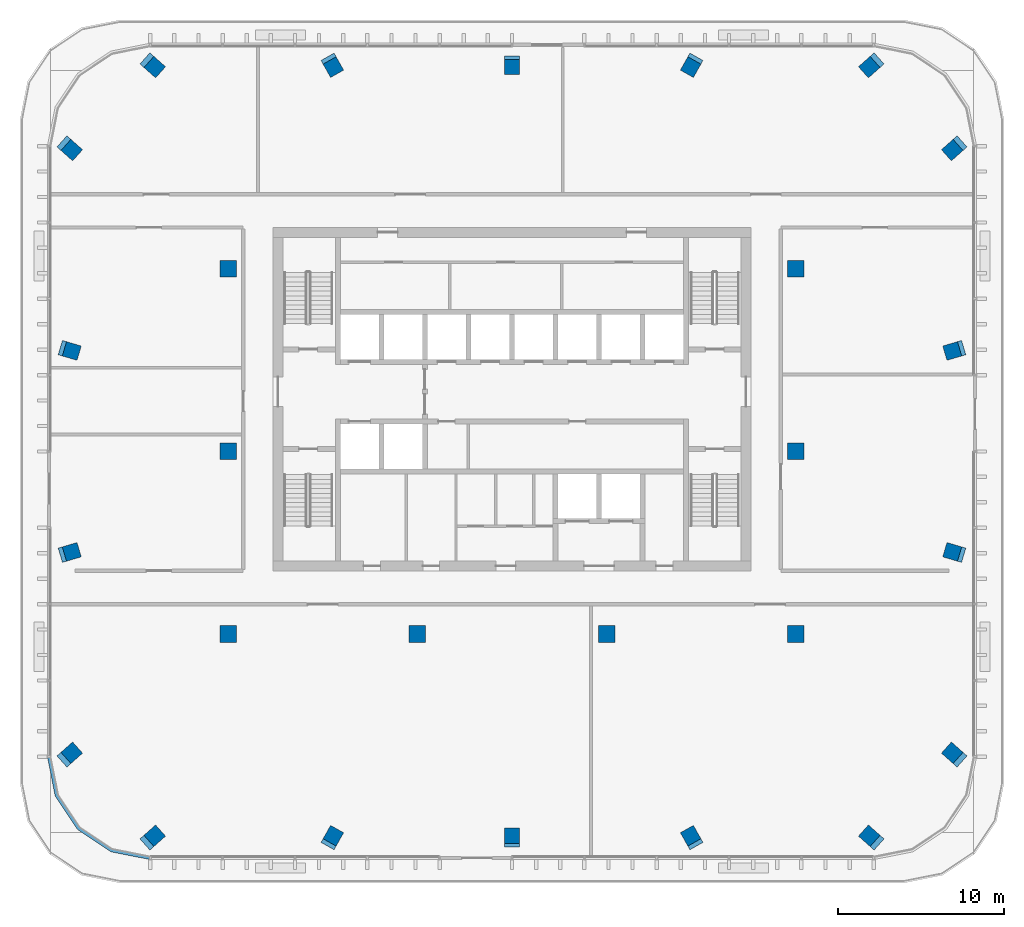
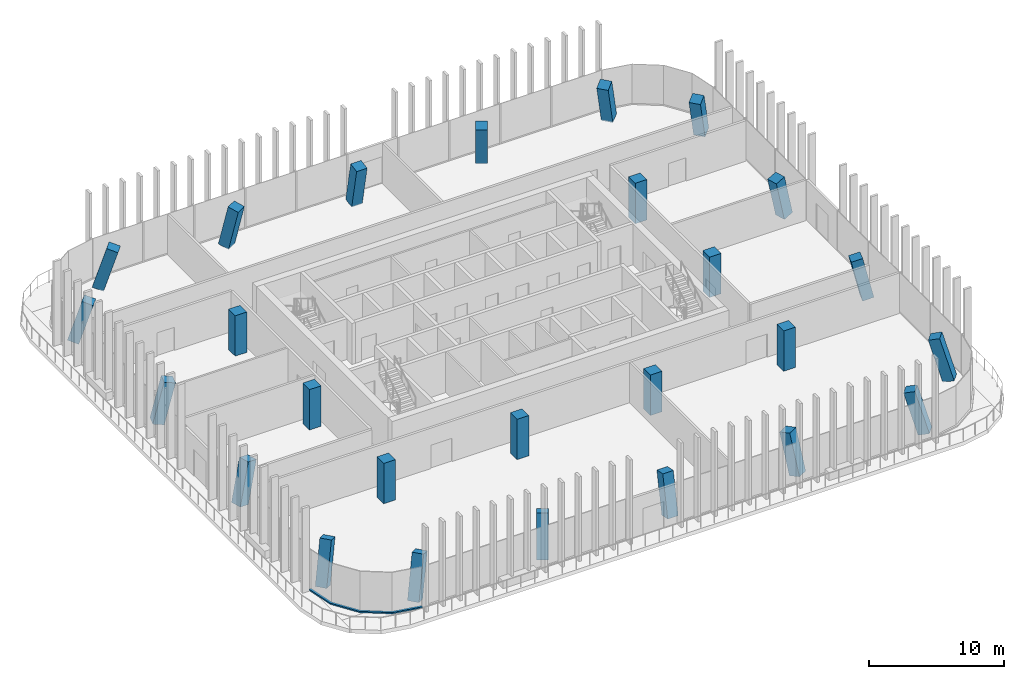
# One storey, part 1 of 16: 26 columns, 1 member, 1 element without a shape of its own.
"""IFC4 building model written with IfcOpenShell, lengths in metres."""

from ifc_helpers import new_model, si_unit, direction, frame, origin, origin_2d, place, context, subcontext, project, spatial, polyline, rectangle, outline, extrude, material, material_profile, profile_set, type_object, element, aggregate, save


model = new_model("IFC4")

# Units and contexts
model_context = context("Model", 3, precision=1e-05, world=origin(), true_north=direction((0.0, 1.0)))
body_context = subcontext(model_context, "Body", "Model", "MODEL_VIEW")
ifc_project = project(units=[si_unit("LENGTHUNIT", "METRE"), si_unit("AREAUNIT", "SQUARE_METRE"), si_unit("VOLUMEUNIT", "CUBIC_METRE"), si_unit("PLANEANGLEUNIT", "RADIAN"), si_unit("MASSUNIT", "GRAM", prefix="KILO")], contexts=[model_context])

# Site, building, storey
site_placement = place(None, origin())
site = spatial("IfcSite", under=ifc_project, at=site_placement, CompositionType="ELEMENT")
building_placement = place(site_placement, origin())
building = spatial("IfcBuilding", under=site, at=building_placement, Name="Mopane Tessera Tower", CompositionType="ELEMENT")
storey_placement = place(building_placement, frame((0.0, 0.0, 321.39990234375)))
storey = spatial("IfcBuildingStorey", under=building, at=storey_placement, Name="L70", CompositionType="ELEMENT", Elevation=321.39990234375)

# Columns
ifc_material_1 = material(Name="Concrete C40/50", Category="concrete")
ifc_material_profile_1 = material_profile(ifc_material_1, rectangle(XDim=1.0, YDim=1.0, at=origin_2d()))
ifc_profile_set_1 = profile_set([ifc_material_profile_1], Name="Concrete C40/50")
column_type_1 = type_object("IfcColumnType", Name="Interior column 1000 x 1000 C40/50", PredefinedType="COLUMN", material=ifc_profile_set_1)
for number, where, z_axis, x_axis, name in (
    (1, (-17.10009765625, -11.0, 0.0), (0.0, 0.0, 1.0), (1.0, 0.0, 0.0), "Interior column I1A L70"),
    (2, (-17.10009765625, 0.0, 0.0), (0.0, 0.0, 1.0), (1.0, 0.0, 0.0), "Interior column I1B L70"),
    (3, (-17.10009765625, 11.0, 0.0), (0.0, 0.0, 1.0), (1.0, 0.0, 0.0), "Interior column I1C L70"),
    (4, (-5.699951171875, -11.0, 0.0), (0.0, 0.0, 1.0), (1.0, 0.0, 0.0), "Interior column I2A L70"),
    (5, (5.699951171875, -11.0, 0.0), (0.0, 0.0, 1.0), (1.0, 0.0, 0.0), "Interior column I3A L70"),
    (6, (17.10009765625, -11.0, 0.0), (0.0, 0.0, 1.0), (1.0, 0.0, 0.0), "Interior column I4A L70"),
    (7, (17.10009765625, 0.0, 0.0), (0.0, 0.0, 1.0), (1.0, 0.0, 0.0), "Interior column I4B L70"),
    (8, (17.10009765625, 11.0, 0.0), (0.0, 0.0, 1.0), (1.0, 0.0, 0.0), "Interior column I4C L70"),
):
    element("IfcColumn", number, at=place(storey_placement, frame(where, z_axis=z_axis, x_axis=x_axis)), inside=storey, type_object=column_type_1, Name=name, PredefinedType="COLUMN", context=body_context, shape_type="SweptSolid", body=[
        extrude(rectangle(XDim=1.0, YDim=1.0, at=origin_2d()), origin(), (0.0, 0.0, 1.0), 3.650146484375),
    ])
ifc_material_2 = material(Name="Concrete C40/50", Category="concrete")
ifc_material_profile_2 = material_profile(ifc_material_2, rectangle(XDim=0.89990234375, YDim=0.89990234375, at=origin_2d()))
ifc_profile_set_2 = profile_set([ifc_material_profile_2], Name="Concrete C40/50")
column_type_2 = type_object("IfcColumnType", Name="Ring column 900 x 900 C40/50", PredefinedType="COLUMN", material=ifc_profile_set_2)
column_1_placement = place(storey_placement, frame((-21.800048828125, -23.39990234375, 0.0), z_axis=(0.215453851731, 0.191436255298, 0.957565558033), x_axis=(-0.664212103315, 0.74754416713, 0.0)))
element("IfcColumn", 9, at=column_1_placement, inside=storey, type_object=column_type_2, Name="Ring column S0 L70", PredefinedType="COLUMN", context=body_context, shape_type="SweptSolid", body=[
    extrude(rectangle(XDim=0.89990234375, YDim=0.89990234375, at=origin_2d()), origin(), (0.0, 0.0, 1.0), 3.81201171875),
])
column_2_placement = place(storey_placement, frame((-10.89990234375, -23.39990234375, 0.0), z_axis=(0.109652628332, 0.194858327041, 0.974682786081), x_axis=(-0.871489870992, 0.49041350385, 0.0)))
element("IfcColumn", 10, at=column_2_placement, inside=storey, type_object=column_type_2, Name="Ring column S1 L70", PredefinedType="COLUMN", context=body_context, shape_type="SweptSolid", body=[
    extrude(rectangle(XDim=0.89990234375, YDim=0.89990234375, at=origin_2d()), origin(), (0.0, 0.0, 1.0), 3.744873046875),
])
column_3_placement = place(storey_placement, frame((0.0, -23.39990234375, 0.0), z_axis=(0.0, 0.196040456894, 0.980595808303), x_axis=(-1.0, 0.0, 0.0)))
element("IfcColumn", 11, at=column_3_placement, inside=storey, type_object=column_type_2, Name="Ring column S2 L70", PredefinedType="COLUMN", context=body_context, shape_type="SweptSolid", body=[
    extrude(rectangle(XDim=0.89990234375, YDim=0.89990234375, at=origin_2d()), origin(), (0.0, 0.0, 1.0), 3.722412109375),
])
column_4_placement = place(storey_placement, frame((10.89990234375, -23.39990234375, 0.0), z_axis=(-0.109652628332, 0.194858327041, 0.974682786081), x_axis=(-0.871489870992, -0.49041350385, 0.0)))
element("IfcColumn", 12, at=column_4_placement, inside=storey, type_object=column_type_2, Name="Ring column S3 L70", PredefinedType="COLUMN", context=body_context, shape_type="SweptSolid", body=[
    extrude(rectangle(XDim=0.89990234375, YDim=0.89990234375, at=origin_2d()), origin(), (0.0, 0.0, 1.0), 3.744873046875),
])
for number, where, z_axis, x_axis, name in (
    (13, (21.800048828125, -23.39990234375, 0.0), (-0.215453851731, 0.191436255298, 0.957565558033), (-0.664212103315, -0.74754416713, 0.0), "Ring column S4 L70"),
    (14, (26.800048828125, -18.39990234375, 0.0), (-0.215453851731, 0.191436255298, 0.957565558033), (-0.664212103315, -0.74754416713, 0.0), "Ring column E0 L70"),
):
    element("IfcColumn", number, at=place(storey_placement, frame(where, z_axis=z_axis, x_axis=x_axis)), inside=storey, type_object=column_type_2, Name=name, PredefinedType="COLUMN", context=body_context, shape_type="SweptSolid", body=[
        extrude(rectangle(XDim=0.89990234375, YDim=0.89990234375, at=origin_2d()), origin(), (0.0, 0.0, 1.0), 3.81201171875),
    ])
for number, where, z_axis, x_axis, name in (
    (15, (26.800048828125, -6.13330078125, 0.0), (-0.219051591777, 0.064855940966, 0.973555394963), (-0.283894227329, -0.958855603148, 0.0), "Ring column E1 L70"),
    (16, (26.800048828125, 6.13330078125, 0.0), (-0.219051591777, -0.064855940966, 0.973555394963), (0.283894227329, -0.958855603148, 0.0), "Ring column E2 L70"),
):
    element("IfcColumn", number, at=place(storey_placement, frame(where, z_axis=z_axis, x_axis=x_axis)), inside=storey, type_object=column_type_2, Name=name, PredefinedType="COLUMN", context=body_context, shape_type="SweptSolid", body=[
        extrude(rectangle(XDim=0.89990234375, YDim=0.89990234375, at=origin_2d()), origin(), (0.0, 0.0, 1.0), 3.749267578125),
    ])
for number, where, z_axis, x_axis, name in (
    (17, (26.800048828125, 18.39990234375, 0.0), (-0.215453851731, -0.191436255298, 0.957565558033), (0.664212103315, -0.74754416713, 0.0), "Ring column E3 L70"),
    (18, (21.800048828125, 23.39990234375, 0.0), (-0.215453851731, -0.191436255298, 0.957565558033), (0.664212103315, -0.74754416713, 0.0), "Ring column N0 L70"),
):
    element("IfcColumn", number, at=place(storey_placement, frame(where, z_axis=z_axis, x_axis=x_axis)), inside=storey, type_object=column_type_2, Name=name, PredefinedType="COLUMN", context=body_context, shape_type="SweptSolid", body=[
        extrude(rectangle(XDim=0.89990234375, YDim=0.89990234375, at=origin_2d()), origin(), (0.0, 0.0, 1.0), 3.81201171875),
    ])
column_5_placement = place(storey_placement, frame((10.89990234375, 23.39990234375, 0.0), z_axis=(-0.109652628332, -0.194858327041, 0.974682786081), x_axis=(0.871489870992, -0.49041350385, 0.0)))
element("IfcColumn", 19, at=column_5_placement, inside=storey, type_object=column_type_2, Name="Ring column N1 L70", PredefinedType="COLUMN", context=body_context, shape_type="SweptSolid", body=[
    extrude(rectangle(XDim=0.89990234375, YDim=0.89990234375, at=origin_2d()), origin(), (0.0, 0.0, 1.0), 3.744873046875),
])
column_6_placement = place(storey_placement, frame((0.0, 23.39990234375, 0.0), z_axis=(0.0, -0.196040456894, 0.980595808303), x_axis=(1.0, 0.0, 0.0)))
element("IfcColumn", 20, at=column_6_placement, inside=storey, type_object=column_type_2, Name="Ring column N2 L70", PredefinedType="COLUMN", context=body_context, shape_type="SweptSolid", body=[
    extrude(rectangle(XDim=0.89990234375, YDim=0.89990234375, at=origin_2d()), origin(), (0.0, 0.0, 1.0), 3.722412109375),
])
column_7_placement = place(storey_placement, frame((-10.89990234375, 23.39990234375, 0.0), z_axis=(0.109652628332, -0.194858327041, 0.974682786081), x_axis=(0.871489870992, 0.49041350385, 0.0)))
element("IfcColumn", 21, at=column_7_placement, inside=storey, type_object=column_type_2, Name="Ring column N3 L70", PredefinedType="COLUMN", context=body_context, shape_type="SweptSolid", body=[
    extrude(rectangle(XDim=0.89990234375, YDim=0.89990234375, at=origin_2d()), origin(), (0.0, 0.0, 1.0), 3.744873046875),
])
for number, where, z_axis, x_axis, name in (
    (22, (-21.800048828125, 23.39990234375, 0.0), (0.215453851731, -0.191436255298, 0.957565558033), (0.664212103315, 0.74754416713, 0.0), "Ring column N4 L70"),
    (23, (-26.800048828125, 18.39990234375, 0.0), (0.215453851731, -0.191436255298, 0.957565558033), (0.664212103315, 0.74754416713, 0.0), "Ring column W0 L70"),
):
    element("IfcColumn", number, at=place(storey_placement, frame(where, z_axis=z_axis, x_axis=x_axis)), inside=storey, type_object=column_type_2, Name=name, PredefinedType="COLUMN", context=body_context, shape_type="SweptSolid", body=[
        extrude(rectangle(XDim=0.89990234375, YDim=0.89990234375, at=origin_2d()), origin(), (0.0, 0.0, 1.0), 3.81201171875),
    ])
for number, where, z_axis, x_axis, name in (
    (24, (-26.800048828125, 6.13330078125, 0.0), (0.219051591777, -0.064855940966, 0.973555394963), (0.283894227329, 0.958855603148, 0.0), "Ring column W1 L70"),
    (25, (-26.800048828125, -6.13330078125, 0.0), (0.219051591777, 0.064855940966, 0.973555394963), (-0.283894227329, 0.958855603148, 0.0), "Ring column W2 L70"),
):
    element("IfcColumn", number, at=place(storey_placement, frame(where, z_axis=z_axis, x_axis=x_axis)), inside=storey, type_object=column_type_2, Name=name, PredefinedType="COLUMN", context=body_context, shape_type="SweptSolid", body=[
        extrude(rectangle(XDim=0.89990234375, YDim=0.89990234375, at=origin_2d()), origin(), (0.0, 0.0, 1.0), 3.749267578125),
    ])
column_8_placement = place(storey_placement, frame((-26.800048828125, -18.39990234375, 0.0), z_axis=(0.215453851731, 0.191436255298, 0.957565558033), x_axis=(-0.664212103315, 0.74754416713, 0.0)))
element("IfcColumn", 26, at=column_8_placement, inside=storey, type_object=column_type_2, Name="Ring column W3 L70", PredefinedType="COLUMN", context=body_context, shape_type="SweptSolid", body=[
    extrude(rectangle(XDim=0.89990234375, YDim=0.89990234375, at=origin_2d()), origin(), (0.0, 0.0, 1.0), 3.81201171875),
])

# Curtain wall, member
ifc_material_3 = material(Name="Aluminium frame", Category="aluminium")
curtain_wall_type = type_object("IfcCurtainWallType", Name="Unitised curtain wall", PredefinedType="NOTDEFINED", material=ifc_material_3)
curtain_wall_placement = place(storey_placement, origin())
curtain_wall = element("IfcCurtainWall", 27, at=curtain_wall_placement, inside=storey, type_object=curtain_wall_type, Name="e:cw:L70:CW", PredefinedType="NOTDEFINED")
ifc_material_4 = material(Name="Aluminium frame", Category="aluminium")
ifc_material_profile_3 = material_profile(ifc_material_4, rectangle(XDim=0.199951171875, YDim=0.1201171875, at=origin_2d()))
ifc_profile_set_3 = profile_set([ifc_material_profile_3], Name="Aluminium frame")
member_type = type_object("IfcMemberType", Name="Aluminium transom 200 x 120", PredefinedType="USERDEFINED", material=ifc_profile_set_3)
member_placement = place(storey_placement, origin())
member = element("IfcMember", 28, at=member_placement, type_object=member_type, Name="e:cw:L70:CW:tr", ObjectType="TRANSOM", PredefinedType="USERDEFINED", context=body_context, shape_type="SweptSolid", body=[
    extrude(outline(polyline([(-27.800048828125, -18.39990234375), (-27.34326171875, -20.696044921875), (-26.042724609375, -22.642578125), (-24.09619140625, -23.943359375), (-21.800048828125, -24.39990234375), (-21.800048828125, -24.60009765625), (-24.172607421875, -24.128173828125), (-26.18408203125, -22.7841796875), (-27.528076171875, -20.772705078125), (-28.0, -18.39990234375), (-27.800048828125, -18.39990234375)])), origin(), (0.0, 0.0, 1.0), 0.1201171875),
])
aggregate(curtain_wall, [member])

save(model, "model.ifc")
